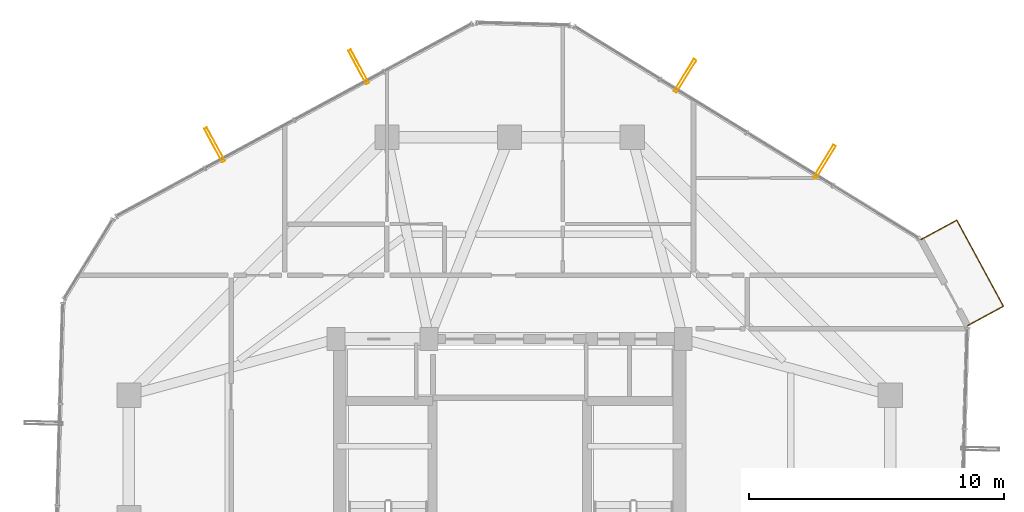
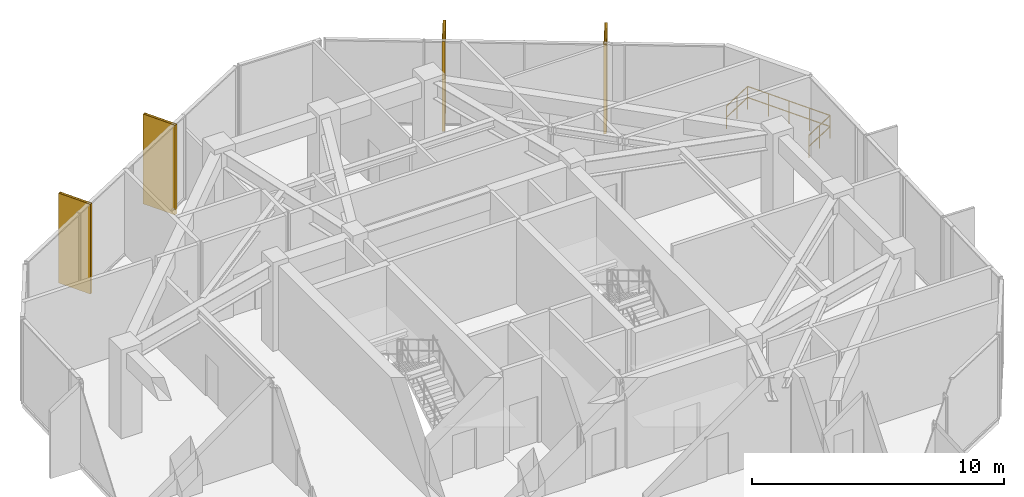
# One storey, part 22 of 22: 4 shading devices, 1 railing.
"""IFC4 building model written with IfcOpenShell, lengths in metres."""

from ifc_helpers import new_model, si_unit, direction, frame, origin, origin_2d, place, context, subcontext, project, spatial, hollow_rectangle, circle, extrude, material, material_profile, profile_set, type_object, element, save


model = new_model("IFC4")

# Units and contexts
model_context = context("Model", 3, precision=1e-05, world=origin(), true_north=direction((0.0, 1.0)))
body_context = subcontext(model_context, "Body", "Model", "MODEL_VIEW")
ifc_project = project(units=[si_unit("LENGTHUNIT", "METRE"), si_unit("AREAUNIT", "SQUARE_METRE"), si_unit("VOLUMEUNIT", "CUBIC_METRE"), si_unit("PLANEANGLEUNIT", "RADIAN"), si_unit("MASSUNIT", "GRAM", prefix="KILO")], contexts=[model_context])

# Site, building, storey
site_placement = place(None, origin())
site = spatial("IfcSite", under=ifc_project, at=site_placement, CompositionType="ELEMENT")
building_placement = place(site_placement, origin())
building = spatial("IfcBuilding", under=site, at=building_placement, Name="Veraguas Prism Commons", CompositionType="ELEMENT")
storey_placement = place(building_placement, frame((0.0, 0.0, 211.35009765625)))
storey = spatial("IfcBuildingStorey", under=building, at=storey_placement, Name="L60", CompositionType="ELEMENT", Elevation=211.35009765625)

# Shading devices
ifc_material_1 = material(Name="Anodised aluminium EN AW-6063 T6", Category="aluminium")
ifc_material_profile = material_profile(ifc_material_1, hollow_rectangle(XDim=0.1201171875, YDim=1.489990234375, WallThickness=0.006103515625, at=origin_2d()), Name="FIN120X1490X6")
ifc_profile_set = profile_set([ifc_material_profile], Name="Anodised aluminium EN AW-6063 T6")
shading_device_type = type_object("IfcShadingDeviceType", Name="Deep Pale-Metal Vertical Solar Fin 120x1490", PredefinedType="USERDEFINED", material=ifc_profile_set)
for number, where, z_axis, x_axis, name in (
    (1, (36.331787109375, 37.94189453125, -0.260009765625), (0.0, 0.0, 1.0), (-0.851909787835, 0.523688565266, 0.0), "Vertical Pale-Metal Solar Fin L60-F1A"),
    (2, (30.8720703125, 41.298095703125, -0.260009765625), (0.0, 0.0, 1.0), (-0.851909787835, 0.523688565266, 0.0), "Vertical Pale-Metal Solar Fin L60-F1B"),
    (3, (18.092041015625, 41.650634765625, -0.260009765625), (0.0, 0.0, 1.0), (-0.87948249511, -0.475931235364, 0.0), "Vertical Pale-Metal Solar Fin L60-F2A"),
    (4, (12.455322265625, 38.600341796875, -0.260009765625), (0.0, 0.0, 1.0), (-0.87948249511, -0.475931235364, 0.0), "Vertical Pale-Metal Solar Fin L60-F2B"),
):
    element("IfcShadingDevice", number, at=place(storey_placement, frame(where, z_axis=z_axis, x_axis=x_axis)), inside=storey, type_object=shading_device_type, Name=name, ObjectType="FIN", PredefinedType="USERDEFINED", context=body_context, shape_type="SweptSolid", body=[
        extrude(hollow_rectangle(XDim=0.1201171875, YDim=1.489990234375, WallThickness=0.006103515625, at=origin_2d()), origin(), (0.0, 0.0, 1.0), 4.344970703125),
    ])

# Railing
ifc_material_2 = material(Name="Stainless steel AISI 316", Category="steel")
railing_type = type_object("IfcRailingType", Name="Loggia and Sky Pool Glazed Balustrade 1120", PredefinedType="BALUSTRADE", material=ifc_material_2)
railing_placement = place(storey_placement, frame((41.92431640625, 31.52001953125, 0.0)))
element("IfcRailing", 5, at=railing_placement, inside=storey, type_object=railing_type, Name="Recessed Corner Loggia L60-C1 Guard", PredefinedType="BALUSTRADE", context=body_context, shape_type="SweptSolid", body=[
    extrude(circle(Radius=0.02392578125, at=origin_2d()), frame((0.0, 0.0, 1.09619140625), z_axis=(0.879494240203, 0.475909530741, 0.0), x_axis=(-0.475909530741, 0.879494240203, 0.0)), (0.0, 0.0, 1.0), 1.60009765625),
    extrude(circle(Radius=0.02392578125, at=origin_2d()), frame((0.0, 0.0, 0.56005859375), z_axis=(0.879494240203, 0.475909530741, 0.0), x_axis=(-0.475909530741, 0.879494240203, 0.0)), (0.0, 0.0, 1.0), 1.60009765625),
    extrude(circle(Radius=0.02392578125, at=origin_2d()), frame((1.4072265625, 0.761474609375, 1.09619140625), z_axis=(-0.475963123119, 0.87946523833, 0.0), x_axis=(-0.87946523833, -0.475963123119, 0.0)), (0.0, 0.0, 1.0), 3.834228515625),
    extrude(circle(Radius=0.02392578125, at=origin_2d()), frame((1.4072265625, 0.761474609375, 0.56005859375), z_axis=(-0.475963123119, 0.87946523833, 0.0), x_axis=(-0.87946523833, -0.475963123119, 0.0)), (0.0, 0.0, 1.0), 3.834228515625),
    extrude(circle(Radius=0.02392578125, at=origin_2d()), frame((-0.417724609375, 4.133544921875, 1.09619140625), z_axis=(-0.87945967451, -0.475973403574, 0.0), x_axis=(0.475973403574, -0.87945967451, 0.0)), (0.0, 0.0, 1.0), 1.599853515625),
    extrude(circle(Radius=0.02392578125, at=origin_2d()), frame((-0.417724609375, 4.133544921875, 0.56005859375), z_axis=(-0.87945967451, -0.475973403574, 0.0), x_axis=(0.475973403574, -0.87945967451, 0.0)), (0.0, 0.0, 1.0), 1.599853515625),
    extrude(circle(Radius=0.02099609375, at=origin_2d()), origin(), (0.0, 0.0, 1.0), 1.072021484375),
    extrude(circle(Radius=0.02099609375, at=origin_2d()), frame((0.70361328125, 0.380859375, 0.0)), (0.0, 0.0, 1.0), 1.072021484375),
    extrude(circle(Radius=0.02099609375, at=origin_2d()), frame((1.4072265625, 0.761474609375, 0.0)), (0.0, 0.0, 1.0), 1.072021484375),
    extrude(circle(Radius=0.02099609375, at=origin_2d()), frame((0.950927734375, 1.6044921875, 0.0)), (0.0, 0.0, 1.0), 1.072021484375),
    extrude(circle(Radius=0.02099609375, at=origin_2d()), frame((0.49462890625, 2.447509765625, 0.0)), (0.0, 0.0, 1.0), 1.072021484375),
    extrude(circle(Radius=0.02099609375, at=origin_2d()), frame((0.03857421875, 3.29052734375, 0.0)), (0.0, 0.0, 1.0), 1.072021484375),
    extrude(circle(Radius=0.02099609375, at=origin_2d()), frame((-0.417724609375, 4.133544921875, 0.0)), (0.0, 0.0, 1.0), 1.072021484375),
    extrude(circle(Radius=0.02099609375, at=origin_2d()), frame((-1.12109375, 3.7529296875, 0.0)), (0.0, 0.0, 1.0), 1.072021484375),
    extrude(circle(Radius=0.02099609375, at=origin_2d()), frame((-1.82470703125, 3.3720703125, 0.0)), (0.0, 0.0, 1.0), 1.072021484375),
])

save(model, "model.ifc")
